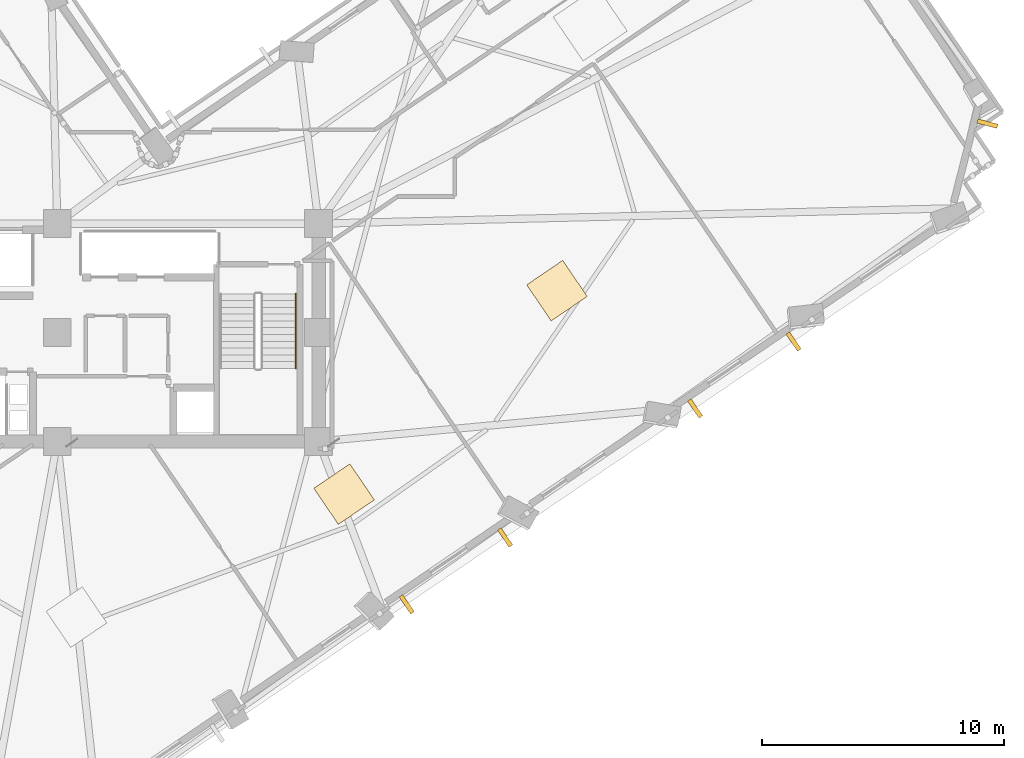
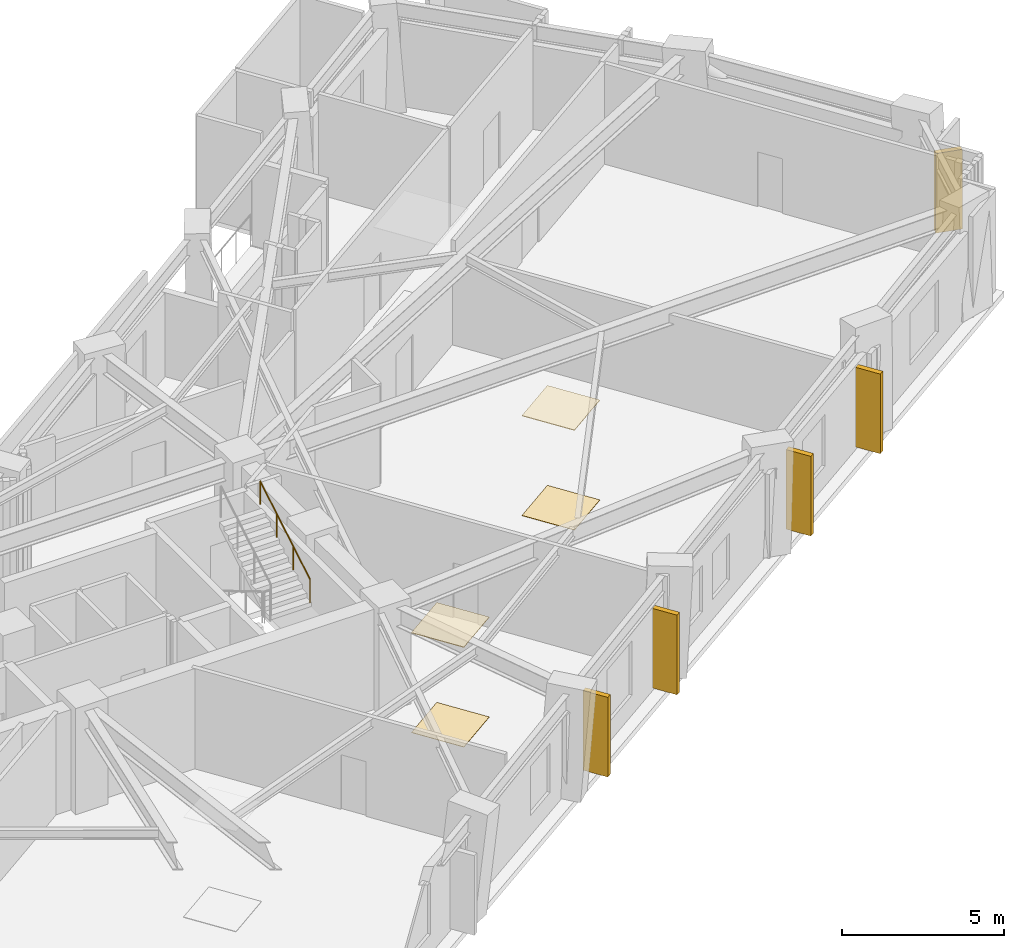
# One storey, part 14 of 16: 5 shading devices, 4 coverings, 1 railing.
"""IFC4 building model written with IfcOpenShell, lengths in metres."""

from ifc_helpers import new_model, si_unit, direction, frame, origin, origin_2d, place, context, subcontext, project, spatial, rectangle, circle, extrude, material, layer, layer_set, type_object, element, save


model = new_model("IFC4")

# Units and contexts
model_context = context("Model", 3, precision=1e-05, world=origin(), true_north=direction((0.0, 1.0)))
body_context = subcontext(model_context, "Body", "Model", "MODEL_VIEW")
ifc_project = project(units=[si_unit("LENGTHUNIT", "METRE"), si_unit("AREAUNIT", "SQUARE_METRE"), si_unit("VOLUMEUNIT", "CUBIC_METRE"), si_unit("PLANEANGLEUNIT", "RADIAN"), si_unit("MASSUNIT", "GRAM", prefix="KILO")], contexts=[model_context])

# Site, building, storey
site_placement = place(None, origin())
site = spatial("IfcSite", under=ifc_project, at=site_placement, CompositionType="ELEMENT")
building_placement = place(site_placement, origin())
building = spatial("IfcBuilding", under=site, at=building_placement, Name="Gaonmaruhae Medical Tower", CompositionType="ELEMENT")
storey_placement = place(building_placement, frame((0.0, 0.0, 169.800048828125)))
storey = spatial("IfcBuildingStorey", under=building, at=storey_placement, Name="L40", CompositionType="ELEMENT", Elevation=169.800048828125)

# Coverings
ifc_material_1 = material(Name="Acoustic mineral ceiling tile", Category="finish")
ifc_layer_1 = layer(ifc_material_1, 0.02490234375)
ifc_layer_set_1 = layer_set([ifc_layer_1], Name="Acoustic mineral ceiling tile")
covering_type_1 = type_object("IfcCoveringType", Name="CLG-01 Antimicrobial Acoustic Mineral Ceiling", PredefinedType="CEILING", material=ifc_layer_set_1)
for number, where, z_axis, x_axis, name in (
    (1, (36.65087890625, 5.62451171875, 3.7548828125), (0.0, 0.0, 1.0), (0.827080574275, 0.562083377852, 0.0), "L40 Clinical Room Acoustic Ceiling 3"),
    (2, (45.4462890625, 14.031494140625, 3.7548828125), (0.0, 0.0, 1.0), (0.827080574275, 0.562083377852, 0.0), "L40 Clinical Room Acoustic Ceiling 4"),
):
    element("IfcCovering", number, at=place(storey_placement, frame(where, z_axis=z_axis, x_axis=x_axis)), inside=storey, type_object=covering_type_1, Name=name, PredefinedType="CEILING", context=body_context, shape_type="SweptSolid", body=[
        extrude(rectangle(XDim=1.800048828125, YDim=1.800048828125, at=origin_2d()), origin(), (0.0, 0.0, 1.0), 0.02490234375),
    ])
ifc_material_2 = material(Name="Seamless clinical vinyl flooring", Category="finish")
ifc_layer_2 = layer(ifc_material_2, 0.014892578125)
ifc_layer_set_2 = layer_set([ifc_layer_2], Name="Seamless clinical vinyl flooring")
covering_type_2 = type_object("IfcCoveringType", Name="FLR-01 Seamless Clinical Antistatic Vinyl Flooring", PredefinedType="FLOORING", material=ifc_layer_set_2)
for number, where, z_axis, x_axis, name in (
    (3, (36.65087890625, 5.62451171875, 0.0), (0.0, 0.0, 1.0), (0.827080574275, 0.562083377852, 0.0), "L40 Clinical Room Vinyl Flooring 3"),
    (4, (45.4462890625, 14.031494140625, 0.0), (0.0, 0.0, 1.0), (0.827080574275, 0.562083377852, 0.0), "L40 Clinical Room Vinyl Flooring 4"),
):
    element("IfcCovering", number, at=place(storey_placement, frame(where, z_axis=z_axis, x_axis=x_axis)), inside=storey, type_object=covering_type_2, Name=name, PredefinedType="FLOORING", context=body_context, shape_type="SweptSolid", body=[
        extrude(rectangle(XDim=1.800048828125, YDim=1.800048828125, at=origin_2d()), origin(), (0.0, 0.0, 1.0), 0.014892578125),
    ])

# Railing
ifc_material_3 = material(Name="Stainless steel 304 handrail", Category="steel")
railing_type = type_object("IfcRailingType", Name="HR-092 Continuous Stainless Steel Stair Handrail", PredefinedType="HANDRAIL", material=ifc_material_3)
railing_placement = place(storey_placement, frame((34.64990234375, 10.820068359375, 2.16650390625)))
element("IfcRailing", 5, at=railing_placement, inside=storey, type_object=railing_type, Name="L40 ST-02 stair handrail 2", PredefinedType="HANDRAIL", context=body_context, shape_type="SweptSolid", body=[
    extrude(circle(Radius=0.02392578125, at=origin_2d()), frame((0.0, 0.0, 0.8759765625), z_axis=(0.0, 0.859260807169, 0.511537745687), x_axis=(-1.0, 0.0, 0.0)), (0.0, 0.0, 1.0), 3.584228515625),
    extrude(circle(Radius=0.02099609375, at=origin_2d()), origin(), (0.0, 0.0, 1.0), 0.851806640625),
    extrude(circle(Radius=0.02099609375, at=origin_2d()), frame((0.0, 1.026611328125, 0.611083984375)), (0.0, 0.0, 1.0), 0.851806640625),
    extrude(circle(Radius=0.02099609375, at=origin_2d()), frame((0.0, 2.05322265625, 1.222412109375)), (0.0, 0.0, 1.0), 0.851806640625),
    extrude(circle(Radius=0.02099609375, at=origin_2d()), frame((0.0, 3.079833984375, 1.83349609375)), (0.0, 0.0, 1.0), 0.851806640625),
])

# Shading devices
ifc_material_4 = material(Name="Pigmented coral precast concrete C45/55", Category="concrete")
shading_device_type = type_object("IfcShadingDeviceType", Name="SD-FIN1 Tower Vertical Coral Precast Shading Fin", PredefinedType="USERDEFINED", material=ifc_material_4)
for number, where, z_axis, x_axis, name in (
    (6, (43.302001953125, 3.832763671875, 0.08251953125), (0.0, 0.0, 1.0), (-0.827080574275, -0.562083377852, 0.0), "L40 Vertical Coral Precast Shading Fin S03"),
    (7, (39.2373046875, 1.0703125, 0.08251953125), (0.0, 0.0, 1.0), (-0.827080574275, -0.562083377852, 0.0), "L40 Vertical Coral Precast Shading Fin S03B"),
    (8, (55.21875, 11.931396484375, 0.08251953125), (0.0, 0.0, 1.0), (-0.827080574275, -0.562083377852, 0.0), "L40 Vertical Coral Precast Shading Fin S05"),
    (9, (51.15087890625, 9.166748046875, 0.08251953125), (0.0, 0.0, 1.0), (-0.827080574275, -0.562083377852, 0.0), "L40 Vertical Coral Precast Shading Fin S05B"),
    (10, (63.232666015625, 20.930419921875, 0.08251953125), (0.0, 0.0, 1.0), (-0.247878361658, -0.968791163162, 0.0), "L40 Vertical Coral Precast Shading Fin S07"),
):
    element("IfcShadingDevice", number, at=place(storey_placement, frame(where, z_axis=z_axis, x_axis=x_axis)), inside=storey, type_object=shading_device_type, Name=name, ObjectType="FIN", PredefinedType="USERDEFINED", context=body_context, shape_type="SweptSolid", body=[
        extrude(rectangle(XDim=0.179931640625, YDim=0.85009765625, at=origin_2d()), origin(), (0.0, 0.0, 1.0), 3.0),
    ])

save(model, "model.ifc")
